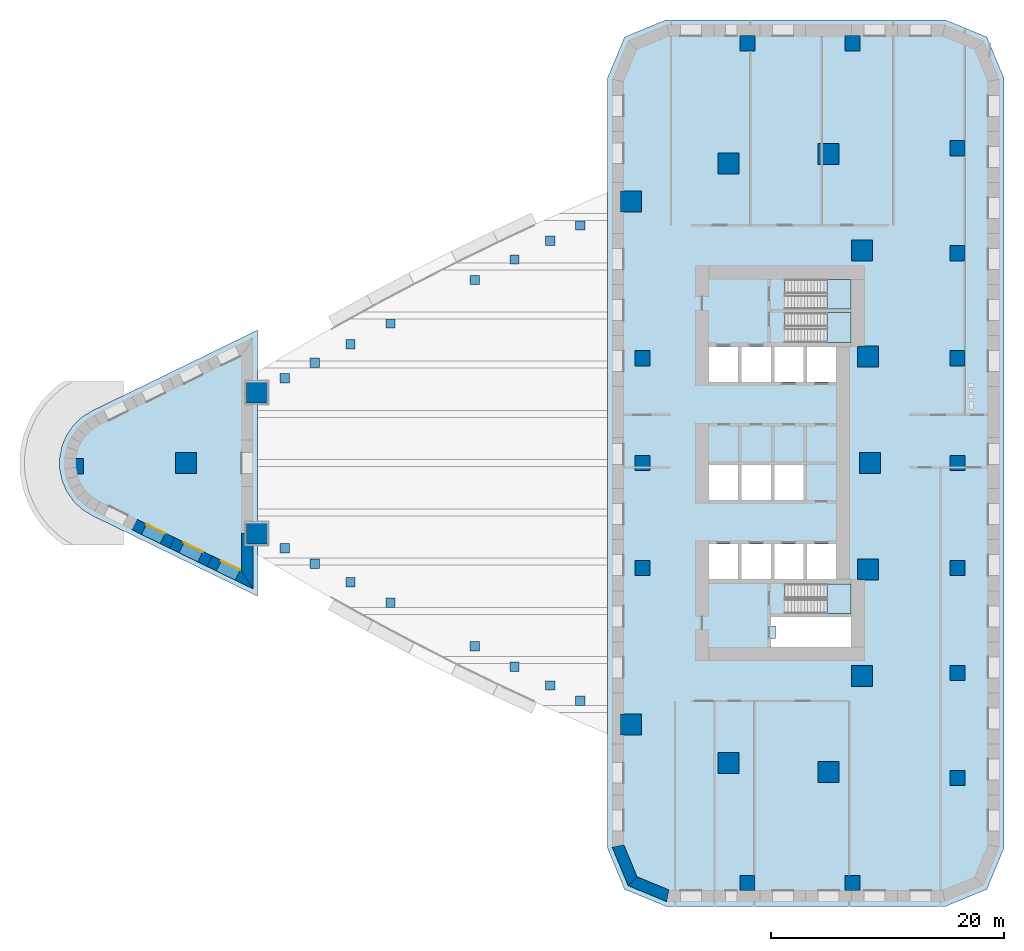
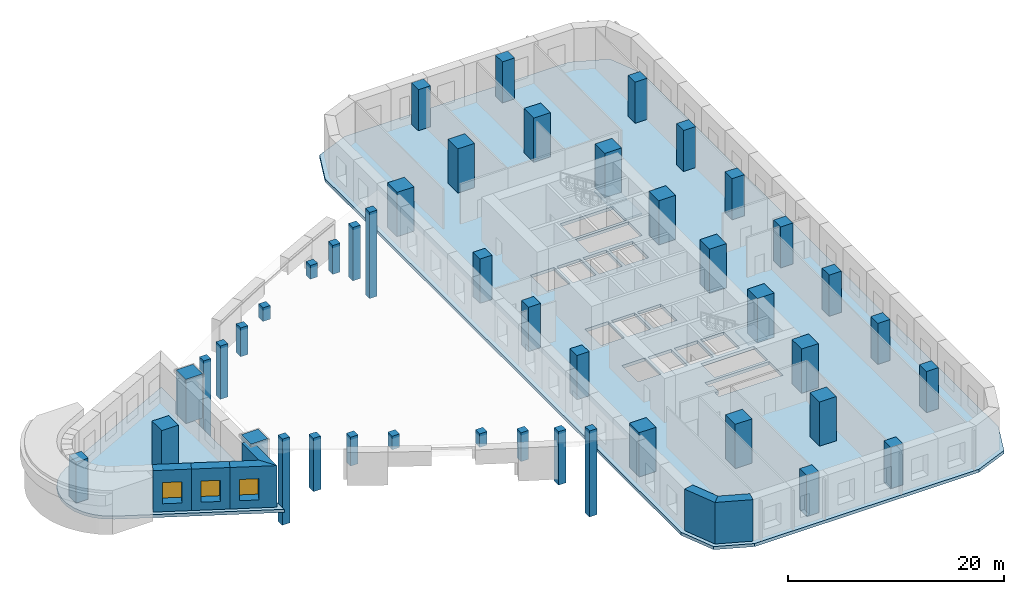
# One storey, part 1 of 11: 29 columns, 16 members, 6 walls, 5 slabs, 3 windows, 4 openings, 3 elements without a shape of their own.
"""IFC4 building model written with IfcOpenShell, lengths in metres."""

from ifc_helpers import new_model, si_unit, direction, frame, frame_2d, origin, origin_2d, place, context, subcontext, project, spatial, polyline, rectangle, outline, extrude, material, layer, layer_set, material_profile, profile_set, type_object, element, fill, aggregate, save


model = new_model("IFC4")

# Units and contexts
model_context = context("Model", 3, precision=1e-05, world=origin(), true_north=direction((0.0, 1.0)))
body_context = subcontext(model_context, "Body", "Model", "MODEL_VIEW")
ifc_project = project(units=[si_unit("LENGTHUNIT", "METRE"), si_unit("AREAUNIT", "SQUARE_METRE"), si_unit("VOLUMEUNIT", "CUBIC_METRE"), si_unit("PLANEANGLEUNIT", "RADIAN"), si_unit("MASSUNIT", "GRAM", prefix="KILO")], contexts=[model_context])

# Site, building, storey
site_placement = place(None, origin())
site = spatial("IfcSite", under=ifc_project, at=site_placement, CompositionType="ELEMENT")
building_placement = place(site_placement, origin())
building = spatial("IfcBuilding", under=site, at=building_placement, Name="Ostrand Prow Hotel Tower", CompositionType="ELEMENT")
storey_placement = place(building_placement, frame((0.0, 0.0, 24.0)))
storey = spatial("IfcBuildingStorey", under=building, at=storey_placement, Name="L04", CompositionType="ELEMENT", Elevation=24.0)

# Columns
ifc_material_1 = material(Name="Concrete C60/75", Category="concrete")
ifc_material_profile_1 = material_profile(ifc_material_1, rectangle(XDim=1.300048828125, YDim=1.300048828125, at=origin_2d()), Name="RC 1300x1300")
ifc_profile_set_1 = profile_set([ifc_material_profile_1], Name="Concrete C60/75")
column_type_1 = type_object("IfcColumnType", Name="Interior column 1300x1300 C60/75", PredefinedType="COLUMN", material=ifc_profile_set_1)
column_placement = place(storey_placement, frame((-3.573974609375, -0.262939453125, 0.0), z_axis=(0.0, 0.0, 1.0), x_axis=(1.0, 0.0, 0.0)))
element("IfcColumn", 1, at=column_placement, inside=storey, type_object=column_type_1, Name="Interior column W4S0", PredefinedType="COLUMN", context=body_context, shape_type="SweptSolid", body=[
    extrude(rectangle(XDim=1.300048828125, YDim=1.300048828125, at=origin_2d()), origin(), (0.0, 0.0, 1.0), 4.64990234375),
])
for number, where, z_axis, x_axis, name in (
    (2, (45.0, -9.0, 0.0), (0.0, 0.0, 1.0), (1.0, 0.0, 0.0), "Interior column 45S9"),
    (3, (45.0, 0.0, 0.0), (0.0, 0.0, 1.0), (1.0, 0.0, 0.0), "Interior column 45C0"),
    (4, (45.0, 9.0, 0.0), (0.0, 0.0, 1.0), (1.0, 0.0, 0.0), "Interior column 45N9"),
):
    element("IfcColumn", number, at=place(storey_placement, frame(where, z_axis=z_axis, x_axis=x_axis)), inside=storey, type_object=column_type_1, Name=name, PredefinedType="COLUMN", context=body_context, shape_type="SweptSolid", body=[
        extrude(rectangle(XDim=1.300048828125, YDim=1.300048828125, at=origin_2d()), origin(), (0.0, 0.0, 1.0), 5.0),
    ])
for number, where, z_axis, x_axis, name in (
    (5, (54.0, -36.0, 0.0), (0.0, 0.0, 1.0), (1.0, 0.0, 0.0), "Interior column 54S36"),
    (6, (54.0, 36.0, 0.0), (0.0, 0.0, 1.0), (1.0, 0.0, 0.0), "Interior column 54N36"),
    (7, (63.0, -36.0, 0.0), (0.0, 0.0, 1.0), (1.0, 0.0, 0.0), "Interior column 63S36"),
    (8, (63.0, 36.0, 0.0), (0.0, 0.0, 1.0), (1.0, 0.0, 0.0), "Interior column 63N36"),
    (9, (72.0, -27.0, 0.0), (0.0, 0.0, 1.0), (1.0, 0.0, 0.0), "Interior column 72S27"),
    (10, (72.0, -18.0, 0.0), (0.0, 0.0, 1.0), (1.0, 0.0, 0.0), "Interior column 72S18"),
    (11, (72.0, -9.0, 0.0), (0.0, 0.0, 1.0), (1.0, 0.0, 0.0), "Interior column 72S9"),
    (12, (72.0, 0.0, 0.0), (0.0, 0.0, 1.0), (1.0, 0.0, 0.0), "Interior column 72C0"),
    (13, (72.0, 9.0, 0.0), (0.0, 0.0, 1.0), (1.0, 0.0, 0.0), "Interior column 72N9"),
    (14, (72.0, 18.0, 0.0), (0.0, 0.0, 1.0), (1.0, 0.0, 0.0), "Interior column 72N18"),
    (15, (72.0, 27.0, 0.0), (0.0, 0.0, 1.0), (1.0, 0.0, 0.0), "Interior column 72N27"),
):
    element("IfcColumn", number, at=place(storey_placement, frame(where, z_axis=z_axis, x_axis=x_axis)), inside=storey, type_object=column_type_1, Name=name, PredefinedType="COLUMN", context=body_context, shape_type="SweptSolid", body=[
        extrude(rectangle(XDim=1.300048828125, YDim=1.300048828125, at=origin_2d()), origin(), (0.0, 0.0, 1.0), 4.64990234375),
    ])
ifc_material_2 = material(Name="Concrete C60/75", Category="concrete")
ifc_material_profile_2 = material_profile(ifc_material_2, rectangle(XDim=1.800048828125, YDim=1.800048828125, at=origin_2d()), Name="RC 1800x1800")
ifc_profile_set_2 = profile_set([ifc_material_profile_2], Name="Concrete C60/75")
column_type_2 = type_object("IfcColumnType", Name="Stone-faced mega column 1800x1800 C60/75", PredefinedType="COLUMN", material=ifc_profile_set_2)
for number, where, z_axis, x_axis, name in (
    (16, (5.848388671875, 0.0, 0.0), (0.0, 0.0, 1.0), (1.0, 0.0, 0.0), "Mega column P"),
    (17, (11.926513671875, -6.0419921875, 0.0), (0.0, 0.0, 1.0), (1.0, 0.0, 0.0), "Mega column S1"),
    (18, (43.997802734375, -22.427978515625, 0.0), (0.0, 0.0, 1.0), (1.0, 0.0, 0.0), "Mega column S5"),
    (19, (52.3916015625, -25.710205078125, 0.0), (0.0, 0.0, 1.0), (1.0, 0.0, 0.0), "Mega column S6"),
    (20, (60.966064453125, -26.49853515625, 0.0), (0.0, 0.0, 1.0), (1.0, 0.0, 0.0), "Mega column SE"),
    (21, (63.8134765625, -18.248779296875, 0.0), (0.0, 0.0, 1.0), (1.0, 0.0, 0.0), "Mega column B1"),
    (22, (64.328369140625, -9.130859375, 0.0), (0.0, 0.0, 1.0), (1.0, 0.0, 0.0), "Mega column B2"),
    (23, (64.5, 0.0, 0.0), (0.0, 0.0, 1.0), (1.0, 0.0, 0.0), "Mega column B3"),
    (24, (64.328369140625, 9.130859375, 0.0), (0.0, 0.0, 1.0), (1.0, 0.0, 0.0), "Mega column B4"),
    (25, (63.8134765625, 18.248779296875, 0.0), (0.0, 0.0, 1.0), (1.0, 0.0, 0.0), "Mega column B5"),
    (26, (60.966064453125, 26.49853515625, 0.0), (0.0, 0.0, 1.0), (1.0, 0.0, 0.0), "Mega column NE"),
    (27, (52.3916015625, 25.710205078125, 0.0), (0.0, 0.0, 1.0), (1.0, 0.0, 0.0), "Mega column N1"),
    (28, (43.997802734375, 22.427978515625, 0.0), (0.0, 0.0, 1.0), (1.0, 0.0, 0.0), "Mega column N2"),
    (29, (11.926513671875, 6.0419921875, 0.0), (0.0, 0.0, 1.0), (1.0, 0.0, 0.0), "Mega column N6"),
):
    element("IfcColumn", number, at=place(storey_placement, frame(where, z_axis=z_axis, x_axis=x_axis)), inside=storey, type_object=column_type_2, Name=name, PredefinedType="COLUMN", context=body_context, shape_type="SweptSolid", body=[
        extrude(rectangle(XDim=1.800048828125, YDim=1.800048828125, at=origin_2d()), origin(), (0.0, 0.0, 1.0), 5.0),
    ])

# Members
ifc_material_3 = material(Name="Concrete C80/95", Category="concrete")
ifc_material_profile_3 = material_profile(ifc_material_3, rectangle(XDim=0.800048828125, YDim=0.800048828125, at=origin_2d()), Name="RC 800x800")
ifc_profile_set_3 = profile_set([ifc_material_profile_3], Name="Concrete C80/95")
member_type = type_object("IfcMemberType", Name="Rib strut 800x800 C80/95", PredefinedType="POST", material=ifc_profile_set_3)
member_1_placement = place(storey_placement, frame((14.334228515625, -7.293701171875, -4.741455078125), z_axis=(0.0, 0.0, 1.0), x_axis=(1.0, 0.0, 0.0)))
element("IfcMember", 30, at=member_1_placement, inside=storey, type_object=member_type, Name="Rib strut S04", PredefinedType="POST", context=body_context, shape_type="SweptSolid", body=[
    extrude(rectangle(XDim=0.800048828125, YDim=0.800048828125, at=origin_2d()), origin(), (0.0, 0.0, 1.0), 9.741455078125),
])
member_2_placement = place(storey_placement, frame((16.8994140625, -8.619140625, -1.044189453125), z_axis=(0.0, 0.0, 1.0), x_axis=(1.0, 0.0, 0.0)))
element("IfcMember", 31, at=member_2_placement, inside=storey, type_object=member_type, Name="Rib strut S05", PredefinedType="POST", context=body_context, shape_type="SweptSolid", body=[
    extrude(rectangle(XDim=0.800048828125, YDim=0.800048828125, at=origin_2d()), origin(), (0.0, 0.0, 1.0), 6.044189453125),
])
member_3_placement = place(storey_placement, frame((19.97119140625, -10.206298828125, 1.737548828125), z_axis=(0.0, 0.0, 1.0), x_axis=(1.0, 0.0, 0.0)))
element("IfcMember", 32, at=member_3_placement, inside=storey, type_object=member_type, Name="Rib strut S06", PredefinedType="POST", context=body_context, shape_type="SweptSolid", body=[
    extrude(rectangle(XDim=0.800048828125, YDim=0.800048828125, at=origin_2d()), origin(), (0.0, 0.0, 1.0), 3.262451171875),
])
for number, where, z_axis, x_axis, name in (
    (33, (23.395263671875, -11.9755859375, 3.464599609375), (0.0, 0.0, 1.0), (1.0, 0.0, 0.0), "Rib strut S07"),
    (34, (30.604736328125, -15.701171875, 3.464599609375), (0.0, 0.0, 1.0), (1.0, 0.0, 0.0), "Rib strut S09"),
):
    element("IfcMember", number, at=place(storey_placement, frame(where, z_axis=z_axis, x_axis=x_axis)), inside=storey, type_object=member_type, Name=name, PredefinedType="POST", context=body_context, shape_type="SweptSolid", body=[
        extrude(rectangle(XDim=0.800048828125, YDim=0.800048828125, at=origin_2d()), origin(), (0.0, 0.0, 1.0), 1.535400390625),
    ])
member_4_placement = place(storey_placement, frame((34.02880859375, -17.470458984375, 1.737548828125), z_axis=(0.0, 0.0, 1.0), x_axis=(1.0, 0.0, 0.0)))
element("IfcMember", 35, at=member_4_placement, inside=storey, type_object=member_type, Name="Rib strut S10", PredefinedType="POST", context=body_context, shape_type="SweptSolid", body=[
    extrude(rectangle(XDim=0.800048828125, YDim=0.800048828125, at=origin_2d()), origin(), (0.0, 0.0, 1.0), 3.262451171875),
])
member_5_placement = place(storey_placement, frame((37.1005859375, -19.0576171875, -1.044189453125), z_axis=(0.0, 0.0, 1.0), x_axis=(1.0, 0.0, 0.0)))
element("IfcMember", 36, at=member_5_placement, inside=storey, type_object=member_type, Name="Rib strut S11", PredefinedType="POST", context=body_context, shape_type="SweptSolid", body=[
    extrude(rectangle(XDim=0.800048828125, YDim=0.800048828125, at=origin_2d()), origin(), (0.0, 0.0, 1.0), 6.044189453125),
])
for number, where, z_axis, x_axis, name in (
    (37, (39.665771484375, -20.38330078125, -4.741455078125), (0.0, 0.0, 1.0), (1.0, 0.0, 0.0), "Rib strut S12"),
    (38, (14.334228515625, 7.293701171875, -4.741455078125), (0.0, 0.0, 1.0), (1.0, 0.0, 0.0), "Rib strut N04"),
):
    element("IfcMember", number, at=place(storey_placement, frame(where, z_axis=z_axis, x_axis=x_axis)), inside=storey, type_object=member_type, Name=name, PredefinedType="POST", context=body_context, shape_type="SweptSolid", body=[
        extrude(rectangle(XDim=0.800048828125, YDim=0.800048828125, at=origin_2d()), origin(), (0.0, 0.0, 1.0), 9.741455078125),
    ])
member_6_placement = place(storey_placement, frame((16.8994140625, 8.619140625, -1.044189453125), z_axis=(0.0, 0.0, 1.0), x_axis=(1.0, 0.0, 0.0)))
element("IfcMember", 39, at=member_6_placement, inside=storey, type_object=member_type, Name="Rib strut N05", PredefinedType="POST", context=body_context, shape_type="SweptSolid", body=[
    extrude(rectangle(XDim=0.800048828125, YDim=0.800048828125, at=origin_2d()), origin(), (0.0, 0.0, 1.0), 6.044189453125),
])
member_7_placement = place(storey_placement, frame((19.97119140625, 10.206298828125, 1.737548828125), z_axis=(0.0, 0.0, 1.0), x_axis=(1.0, 0.0, 0.0)))
element("IfcMember", 40, at=member_7_placement, inside=storey, type_object=member_type, Name="Rib strut N06", PredefinedType="POST", context=body_context, shape_type="SweptSolid", body=[
    extrude(rectangle(XDim=0.800048828125, YDim=0.800048828125, at=origin_2d()), origin(), (0.0, 0.0, 1.0), 3.262451171875),
])
for number, where, z_axis, x_axis, name in (
    (41, (23.395263671875, 11.9755859375, 3.464599609375), (0.0, 0.0, 1.0), (1.0, 0.0, 0.0), "Rib strut N07"),
    (42, (30.604736328125, 15.701171875, 3.464599609375), (0.0, 0.0, 1.0), (1.0, 0.0, 0.0), "Rib strut N09"),
):
    element("IfcMember", number, at=place(storey_placement, frame(where, z_axis=z_axis, x_axis=x_axis)), inside=storey, type_object=member_type, Name=name, PredefinedType="POST", context=body_context, shape_type="SweptSolid", body=[
        extrude(rectangle(XDim=0.800048828125, YDim=0.800048828125, at=origin_2d()), origin(), (0.0, 0.0, 1.0), 1.535400390625),
    ])
member_8_placement = place(storey_placement, frame((34.02880859375, 17.470458984375, 1.737548828125), z_axis=(0.0, 0.0, 1.0), x_axis=(1.0, 0.0, 0.0)))
element("IfcMember", 43, at=member_8_placement, inside=storey, type_object=member_type, Name="Rib strut N10", PredefinedType="POST", context=body_context, shape_type="SweptSolid", body=[
    extrude(rectangle(XDim=0.800048828125, YDim=0.800048828125, at=origin_2d()), origin(), (0.0, 0.0, 1.0), 3.262451171875),
])
member_9_placement = place(storey_placement, frame((37.1005859375, 19.0576171875, -1.044189453125), z_axis=(0.0, 0.0, 1.0), x_axis=(1.0, 0.0, 0.0)))
element("IfcMember", 44, at=member_9_placement, inside=storey, type_object=member_type, Name="Rib strut N11", PredefinedType="POST", context=body_context, shape_type="SweptSolid", body=[
    extrude(rectangle(XDim=0.800048828125, YDim=0.800048828125, at=origin_2d()), origin(), (0.0, 0.0, 1.0), 6.044189453125),
])
member_10_placement = place(storey_placement, frame((39.665771484375, 20.38330078125, -4.741455078125), z_axis=(0.0, 0.0, 1.0), x_axis=(1.0, 0.0, 0.0)))
element("IfcMember", 45, at=member_10_placement, inside=storey, type_object=member_type, Name="Rib strut N12", PredefinedType="POST", context=body_context, shape_type="SweptSolid", body=[
    extrude(rectangle(XDim=0.800048828125, YDim=0.800048828125, at=origin_2d()), origin(), (0.0, 0.0, 1.0), 9.741455078125),
])

# Slab
ifc_material_4 = material(Name="Concrete C40/50", Category="concrete")
ifc_layer_1 = layer(ifc_material_4, 0.35009765625)
ifc_layer_set_1 = layer_set([ifc_layer_1], Name="Concrete C40/50")
slab_type_1 = type_object("IfcSlabType", Name="PT flat plate 350 C40/50", PredefinedType="FLOOR", material=ifc_layer_set_1)
slab_1_placement = place(storey_placement, frame((0.0, 0.0, -0.35009765625)))
element("IfcSlab", 46, at=slab_1_placement, inside=storey, type_object=slab_type_1, Name="Floor slab L04-1", PredefinedType="FLOOR", context=body_context, shape_type="SweptSolid", body=[
    extrude(outline(polyline([(12.0, -11.41259765625), (-2.19091796875, -4.494384765625), (-3.052490234375, -3.9599609375), (-3.788818359375, -3.2626953125), (-4.368896484375, -2.431396484375), (-4.769775390625, -1.5), (-4.97412109375, -0.5068359375), (-4.97412109375, 0.5068359375), (-4.769775390625, 1.5), (-4.368896484375, 2.431396484375), (-3.788818359375, 3.2626953125), (-3.052490234375, 3.9599609375), (-2.19091796875, 4.494384765625), (12.0, 11.41259765625), (12.0, -11.41259765625)])), origin(), (0.0, 0.0, 1.0), 0.35009765625),
])

# Slab, opening
slab_2_placement = place(storey_placement, frame((0.0, 0.0, -0.35009765625)))
slab_2 = element("IfcSlab", 47, at=slab_2_placement, inside=storey, type_object=slab_type_1, Name="Floor slab L04-2", PredefinedType="FLOOR", context=body_context, shape_type="SweptSolid", body=[
    extrude(outline(polyline([(47.0, -38.0), (43.464599609375, -36.535400390625), (42.0, -33.0), (42.0, 33.0), (43.464599609375, 36.535400390625), (47.0, 38.0), (71.0, 38.0), (74.535400390625, 36.535400390625), (76.0, 33.0), (76.0, -33.0), (74.535400390625, -36.535400390625), (71.0, -38.0), (47.0, -38.0)]), holes=[polyline([(50.699951171875, 6.949951171875), (53.199951171875, 6.949951171875), (53.199951171875, 9.949951171875), (50.699951171875, 9.949951171875), (50.699951171875, 6.949951171875)]), polyline([(53.5, 6.949951171875), (56.0, 6.949951171875), (56.0, 9.949951171875), (53.5, 9.949951171875), (53.5, 6.949951171875)]), polyline([(56.300048828125, 6.949951171875), (58.800048828125, 6.949951171875), (58.800048828125, 9.949951171875), (56.300048828125, 9.949951171875), (56.300048828125, 6.949951171875)]), polyline([(59.10009765625, 6.949951171875), (61.60009765625, 6.949951171875), (61.60009765625, 9.949951171875), (59.10009765625, 9.949951171875), (59.10009765625, 6.949951171875)]), polyline([(50.699951171875, -3.14990234375), (53.199951171875, -3.14990234375), (53.199951171875, -0.14990234375), (50.699951171875, -0.14990234375), (50.699951171875, -3.14990234375)]), polyline([(53.5, -3.14990234375), (56.0, -3.14990234375), (56.0, -0.14990234375), (53.5, -0.14990234375), (53.5, -3.14990234375)]), polyline([(56.300048828125, -3.14990234375), (58.800048828125, -3.14990234375), (58.800048828125, -0.14990234375), (56.300048828125, -0.14990234375), (56.300048828125, -3.14990234375)]), polyline([(50.699951171875, -9.949951171875), (53.199951171875, -9.949951171875), (53.199951171875, -6.949951171875), (50.699951171875, -6.949951171875), (50.699951171875, -9.949951171875)]), polyline([(53.5, -9.949951171875), (56.0, -9.949951171875), (56.0, -6.949951171875), (53.5, -6.949951171875), (53.5, -9.949951171875)]), polyline([(56.300048828125, -9.949951171875), (58.800048828125, -9.949951171875), (58.800048828125, -6.949951171875), (56.300048828125, -6.949951171875), (56.300048828125, -9.949951171875)]), polyline([(59.10009765625, -9.949951171875), (61.60009765625, -9.949951171875), (61.60009765625, -6.949951171875), (59.10009765625, -6.949951171875), (59.10009765625, -9.949951171875)]), polyline([(57.200927734375, 10.35107421875), (57.200927734375, 12.89892578125), (62.87890625, 12.89892578125), (62.87890625, 10.35107421875), (57.200927734375, 10.35107421875)]), polyline([(57.200927734375, 13.200927734375), (57.200927734375, 15.7490234375), (62.87890625, 15.7490234375), (62.87890625, 13.200927734375), (57.200927734375, 13.200927734375)]), polyline([(57.200927734375, -12.89892578125), (57.200927734375, -10.35107421875), (62.87890625, -10.35107421875), (62.87890625, -12.89892578125), (57.200927734375, -12.89892578125)]), polyline([(56.0, -13.199951171875), (62.8798828125, -13.199951171875), (62.8798828125, -15.75), (56.0, -15.75), (56.0, -15.050048828125), (56.39990234375, -15.050048828125), (56.39990234375, -13.949951171875), (56.0, -13.949951171875), (56.0, -13.199951171875)])]), origin(), (0.0, 0.0, 1.0), 0.35009765625),
])
opening_1_placement = place(slab_2_placement, origin())
element("IfcOpeningElement", 48, at=opening_1_placement, cuts=slab_2, Name="Shaft opening 1", PredefinedType="OPENING", context=body_context, shape_type="SweptSolid", body=[
    extrude(outline(polyline([(56.0, -13.199951171875), (62.8798828125, -13.199951171875), (62.8798828125, -15.75), (56.0, -15.75), (56.0, -15.050048828125), (56.39990234375, -15.050048828125), (56.39990234375, -13.949951171875), (56.0, -13.949951171875), (56.0, -13.199951171875)])), origin(), (0.0, 0.0, 1.0), 0.35009765625),
])

# Stair, slab
ifc_material_5 = material(Name="Concrete C40/50", Category="concrete")
stair_type = type_object("IfcStairType", Name="Exit stair 1200 middle zone", PredefinedType="HALF_TURN_STAIR", material=ifc_material_5)
stair_1_placement = place(storey_placement, origin())
stair_1 = element("IfcStair", 49, at=stair_1_placement, inside=storey, type_object=stair_type, Name="L04 ST1B", PredefinedType="HALF_TURN_STAIR")
ifc_material_6 = material(Name="Concrete C40/50", Category="concrete")
ifc_layer_2 = layer(ifc_material_6, 0.199951171875)
ifc_layer_set_2 = layer_set([ifc_layer_2], Name="Concrete C40/50")
slab_type_2 = type_object("IfcSlabType", Name="Stair landing 200 concrete", PredefinedType="LANDING", material=ifc_layer_set_2)
slab_3_placement = place(storey_placement, frame((0.0, 0.0, 2.300048828125)))
slab_3 = element("IfcSlab", 50, at=slab_3_placement, type_object=slab_type_2, Name="ST1B landing 1", PredefinedType="LANDING", context=body_context, shape_type="SweptSolid", body=[
    extrude(outline(polyline([(60.840087890625, 10.35009765625), (62.8798828125, 10.35009765625), (62.8798828125, 12.89990234375), (60.840087890625, 12.89990234375), (60.840087890625, 10.35009765625)])), origin(), (0.0, 0.0, 1.0), 0.199951171875),
])
aggregate(stair_1, [slab_3])

stair_2_placement = place(storey_placement, origin())
stair_2 = element("IfcStair", 51, at=stair_2_placement, inside=storey, type_object=stair_type, Name="L04 ST3B", PredefinedType="HALF_TURN_STAIR")
slab_4_placement = place(storey_placement, frame((0.0, 0.0, 2.300048828125)))
slab_4 = element("IfcSlab", 52, at=slab_4_placement, type_object=slab_type_2, Name="ST3B landing 1", PredefinedType="LANDING", context=body_context, shape_type="SweptSolid", body=[
    extrude(outline(polyline([(60.840087890625, 13.199951171875), (62.8798828125, 13.199951171875), (62.8798828125, 15.75), (60.840087890625, 15.75), (60.840087890625, 13.199951171875)])), origin(), (0.0, 0.0, 1.0), 0.199951171875),
])
aggregate(stair_2, [slab_4])

stair_3_placement = place(storey_placement, origin())
stair_3 = element("IfcStair", 53, at=stair_3_placement, inside=storey, type_object=stair_type, Name="L04 ST2B", PredefinedType="HALF_TURN_STAIR")
slab_5_placement = place(storey_placement, frame((0.0, 0.0, 2.300048828125)))
slab_5 = element("IfcSlab", 54, at=slab_5_placement, type_object=slab_type_2, Name="ST2B landing 1", PredefinedType="LANDING", context=body_context, shape_type="SweptSolid", body=[
    extrude(outline(polyline([(60.840087890625, -12.89990234375), (62.8798828125, -12.89990234375), (62.8798828125, -10.35009765625), (60.840087890625, -10.35009765625), (60.840087890625, -12.89990234375)])), origin(), (0.0, 0.0, 1.0), 0.199951171875),
])
aggregate(stair_3, [slab_5])

# Wall
ifc_material_7 = material(Name="Precast concrete C40/50", Category="concrete")
ifc_layer_3 = layer(ifc_material_7, 1.0)
ifc_layer_set_3 = layer_set([ifc_layer_3], Name="Precast concrete C40/50")
wall_type = type_object("IfcWallType", Name="Portal pier wall 1000 mm", PredefinedType="NOTDEFINED", material=ifc_layer_set_3)
wall_1_placement = place(storey_placement, frame((11.10009765625, -9.972412109375, 0.0), z_axis=(0.0, 0.0, 1.0), x_axis=(0.0, 1.0, 0.0)))
element("IfcWall", 55, at=wall_1_placement, inside=storey, type_object=wall_type, Name="Portal pier wall L04-PP000", PredefinedType="NOTDEFINED", context=body_context, shape_type="SweptSolid", body=[
    extrude(outline(polyline([(-0.800048828125, -0.5), (3.989013671875, -0.5), (3.989013671875, 0.5), (0.800048828125, 0.5), (-0.800048828125, -0.5)])), origin(), (0.0, 0.0, 1.0), 4.699951171875),
])

# Wall, opening, window
wall_2_placement = place(storey_placement, frame((1.45849609375, -5.272216796875, 0.0), z_axis=(0.0, 0.0, 1.0), x_axis=(0.898848496883, -0.438259488946, 0.0)))
wall_2 = element("IfcWall", 56, at=wall_2_placement, inside=storey, type_object=wall_type, Name="Portal pier wall L04-PP021", PredefinedType="NOTDEFINED", context=body_context, shape_type="SweptSolid", body=[
    extrude(outline(polyline([(0.0, -0.5), (3.5751953125, -0.5), (3.5751953125, 0.5), (0.0, 0.5), (0.0, -0.5)])), origin(), (0.0, 0.0, 1.0), 4.699951171875),
])
opening_2_placement = place(wall_2_placement, frame((0.8876953125, 0.0, 0.89990234375)))
opening_2 = element("IfcOpeningElement", 57, at=opening_2_placement, cuts=wall_2, Name="Opening WP2", PredefinedType="OPENING", context=body_context, shape_type="SweptSolid", body=[
    extrude(rectangle(XDim=1.800048828125, YDim=2.39990234375, at=frame_2d((0.89990234375, 1.199951171875))), frame((0.0, 0.510009765625, 0.0), z_axis=(0.0, -1.0, 0.0), x_axis=(1.0, 0.0, 0.0)), (0.0, 0.0, 1.0), 1.02001953125),
])
ifc_material_8 = material(Name="Insulated glass in bronze anodised frame", Category="glass")
window_type = type_object("IfcWindowType", Name="Portal window 1800x2400", PartitioningType="SINGLE_PANEL", PredefinedType="WINDOW", material=ifc_material_8)
window_1_placement = place(opening_2_placement, origin())
window_1 = element("IfcWindow", 58, at=window_1_placement, inside=storey, type_object=window_type, Name="Portal window L04-PP021", OverallHeight=2.39990234375, OverallWidth=1.800048828125, PartitioningType="SINGLE_PANEL", PredefinedType="WINDOW", context=body_context, shape_type="SweptSolid", body=[
    extrude(rectangle(XDim=1.800048828125, YDim=2.39990234375, at=frame_2d((0.89990234375, 1.199951171875))), frame((0.0, 0.5, 0.0), z_axis=(0.0, -1.0, 0.0), x_axis=(1.0, 0.0, 0.0)), (0.0, 0.0, 1.0), 0.06005859375),
])
fill(opening_2, window_1)

wall_3_placement = place(storey_placement, frame((4.672119140625, -6.839111328125, 0.0), z_axis=(0.0, 0.0, 1.0), x_axis=(0.898888507486, -0.43817741967, 0.0)))
wall_3 = element("IfcWall", 59, at=wall_3_placement, inside=storey, type_object=wall_type, Name="Portal pier wall L04-PP022", PredefinedType="NOTDEFINED", context=body_context, shape_type="SweptSolid", body=[
    extrude(outline(polyline([(0.0, -0.5), (3.575439453125, -0.5), (3.575439453125, 0.5), (0.0, 0.5), (0.0, -0.5)])), origin(), (0.0, 0.0, 1.0), 4.699951171875),
])
opening_3_placement = place(wall_3_placement, frame((0.8876953125, 0.0, 0.89990234375)))
opening_3 = element("IfcOpeningElement", 60, at=opening_3_placement, cuts=wall_3, Name="Opening WP2", PredefinedType="OPENING", context=body_context, shape_type="SweptSolid", body=[
    extrude(rectangle(XDim=1.800048828125, YDim=2.39990234375, at=frame_2d((0.89990234375, 1.199951171875))), frame((0.0, 0.510009765625, 0.0), z_axis=(0.0, -1.0, 0.0), x_axis=(1.0, 0.0, 0.0)), (0.0, 0.0, 1.0), 1.02001953125),
])
window_2_placement = place(opening_3_placement, origin())
window_2 = element("IfcWindow", 61, at=window_2_placement, inside=storey, type_object=window_type, Name="Portal window L04-PP022", OverallHeight=2.39990234375, OverallWidth=1.800048828125, PartitioningType="SINGLE_PANEL", PredefinedType="WINDOW", context=body_context, shape_type="SweptSolid", body=[
    extrude(rectangle(XDim=1.800048828125, YDim=2.39990234375, at=frame_2d((0.89990234375, 1.199951171875))), frame((0.0, 0.5, 0.0), z_axis=(0.0, -1.0, 0.0), x_axis=(1.0, 0.0, 0.0)), (0.0, 0.0, 1.0), 0.06005859375),
])
fill(opening_3, window_2)

wall_4_placement = place(storey_placement, frame((7.885986328125, -8.40576171875, 0.0), z_axis=(0.0, 0.0, 1.0), x_axis=(0.89890161674, -0.438150525987, 0.0)))
wall_4 = element("IfcWall", 62, at=wall_4_placement, inside=storey, type_object=wall_type, Name="Portal pier wall L04-PP023", PredefinedType="NOTDEFINED", context=body_context, shape_type="SweptSolid", body=[
    extrude(outline(polyline([(0.0, -0.5), (4.375732421875, -0.5), (2.775634765625, 0.5), (0.0, 0.5), (0.0, -0.5)])), origin(), (0.0, 0.0, 1.0), 4.699951171875),
])
opening_4_placement = place(wall_4_placement, frame((0.8876953125, 0.0, 0.89990234375)))
opening_4 = element("IfcOpeningElement", 63, at=opening_4_placement, cuts=wall_4, Name="Opening WP2", PredefinedType="OPENING", context=body_context, shape_type="SweptSolid", body=[
    extrude(rectangle(XDim=1.800048828125, YDim=2.39990234375, at=frame_2d((0.89990234375, 1.199951171875))), frame((0.0, 0.510009765625, 0.0), z_axis=(0.0, -1.0, 0.0), x_axis=(1.0, 0.0, 0.0)), (0.0, 0.0, 1.0), 1.02001953125),
])
window_3_placement = place(opening_4_placement, origin())
window_3 = element("IfcWindow", 64, at=window_3_placement, inside=storey, type_object=window_type, Name="Portal window L04-PP023", OverallHeight=2.39990234375, OverallWidth=1.800048828125, PartitioningType="SINGLE_PANEL", PredefinedType="WINDOW", context=body_context, shape_type="SweptSolid", body=[
    extrude(rectangle(XDim=1.800048828125, YDim=2.39990234375, at=frame_2d((0.89990234375, 1.199951171875))), frame((0.0, 0.5, 0.0), z_axis=(0.0, -1.0, 0.0), x_axis=(1.0, 0.0, 0.0)), (0.0, 0.0, 1.0), 0.06005859375),
])
fill(opening_4, window_3)

# Walls
wall_5_placement = place(storey_placement, frame((42.89990234375, -32.821044921875, 0.0), z_axis=(0.0, 0.0, 1.0), x_axis=(0.382724875529, -0.923862365102, 0.0)))
element("IfcWall", 65, at=wall_5_placement, inside=storey, type_object=wall_type, Name="Portal pier wall L04-PP148", PredefinedType="NOTDEFINED", context=body_context, shape_type="SweptSolid", body=[
    extrude(outline(polyline([(-0.099609375, -0.5), (3.48193359375, -0.5), (3.06787109375, 0.5), (0.099609375, 0.5), (-0.099609375, -0.5)])), origin(), (0.0, 0.0, 1.0), 4.699951171875),
])
wall_6_placement = place(storey_placement, frame((44.1533203125, -35.8466796875, 0.0), z_axis=(0.0, 0.0, 1.0), x_axis=(0.923862365102, -0.382724875529, 0.0)))
element("IfcWall", 66, at=wall_6_placement, inside=storey, type_object=wall_type, Name="Portal pier wall L04-PP149", PredefinedType="NOTDEFINED", context=body_context, shape_type="SweptSolid", body=[
    extrude(outline(polyline([(-0.20703125, -0.5), (3.37451171875, -0.5), (3.17529296875, 0.5), (0.20703125, 0.5), (-0.20703125, -0.5)])), origin(), (0.0, 0.0, 1.0), 4.699951171875),
])

save(model, "model.ifc")
